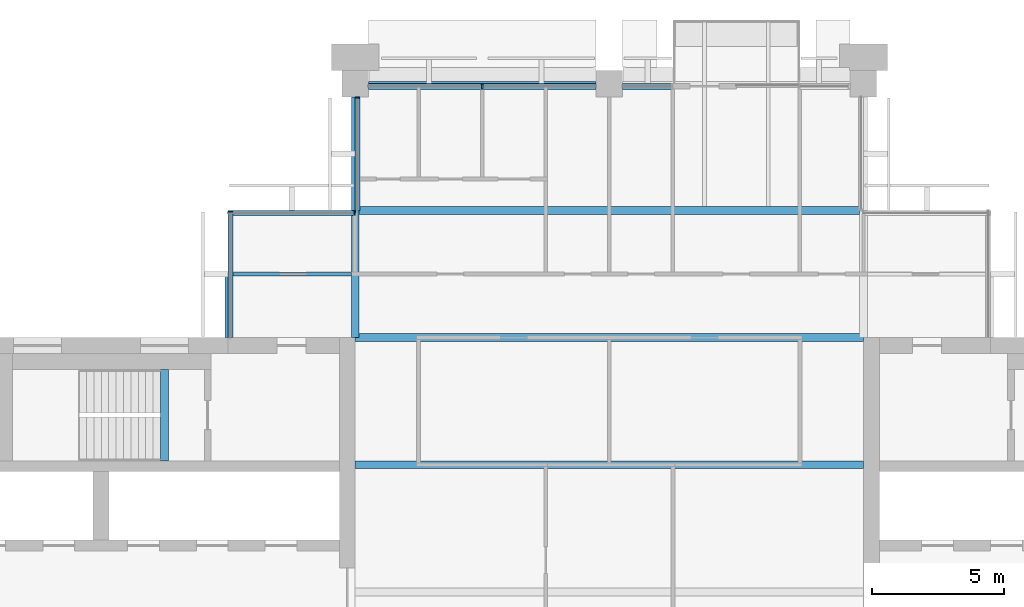
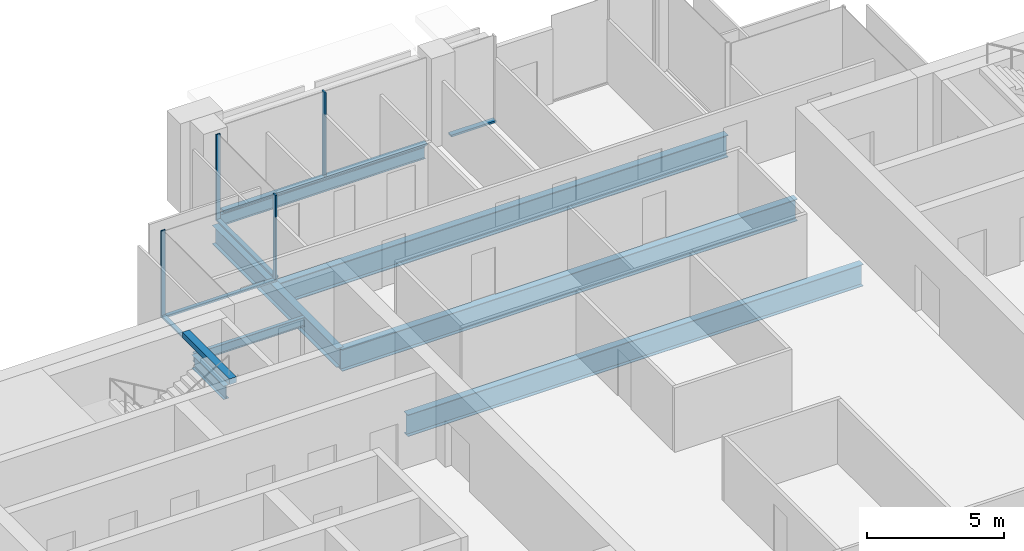
# One storey, part 5 of 13: 9 members, 8 beams, 4 elements without a shape of their own.
"""IFC4 building model written with IfcOpenShell, lengths in metres."""

from ifc_helpers import new_model, si_unit, direction, frame, origin, origin_2d, place, context, subcontext, project, spatial, rectangle, i_section, extrude, material, material_profile, profile_set, type_object, element, aggregate, save


model = new_model("IFC4")

# Units and contexts
model_context = context("Model", 3, precision=1e-05, world=origin(), true_north=direction((0.0, 1.0)))
body_context = subcontext(model_context, "Body", "Model", "MODEL_VIEW")
ifc_project = project(units=[si_unit("LENGTHUNIT", "METRE"), si_unit("AREAUNIT", "SQUARE_METRE"), si_unit("VOLUMEUNIT", "CUBIC_METRE"), si_unit("PLANEANGLEUNIT", "RADIAN"), si_unit("MASSUNIT", "GRAM", prefix="KILO")], contexts=[model_context])

# Site, building, storey
site_placement = place(None, origin())
site = spatial("IfcSite", under=ifc_project, at=site_placement, CompositionType="ELEMENT")
building_placement = place(site_placement, origin())
building = spatial("IfcBuilding", under=site, at=building_placement, Name="Baori Bourse Tower", CompositionType="ELEMENT")
storey_placement = place(building_placement, frame((0.0, 0.0, 302.300048828125)))
storey = spatial("IfcBuildingStorey", under=building, at=storey_placement, Name="L66", CompositionType="ELEMENT", Elevation=302.300048828125)

# Curtain wall, member
ifc_material_1 = material(Name="Pale anodised aluminium", Category="aluminium")
curtain_wall_type_1 = type_object("IfcCurtainWallType", Name="CW2 Curtain wall", PredefinedType="NOTDEFINED", material=ifc_material_1)
curtain_wall_1_placement = place(storey_placement, origin())
curtain_wall_1 = element("IfcCurtainWall", 1, at=curtain_wall_1_placement, inside=storey, type_object=curtain_wall_type_1, Name="Curtain wall CW2 L66 7", PredefinedType="NOTDEFINED")
ifc_material_2 = material(Name="Pale anodised aluminium", Category="aluminium")
ifc_material_profile_1 = material_profile(ifc_material_2, rectangle(XDim=0.179931640625, YDim=0.054931640625, at=origin_2d()), Name="Mullion 55x180")
ifc_profile_set_1 = profile_set([ifc_material_profile_1], Name="Pale anodised aluminium")
member_type_1 = type_object("IfcMemberType", Name="CW2 Curtain wall mullion", PredefinedType="MULLION", material=ifc_profile_set_1)
member_1_placement = place(storey_placement, frame((19.2900390625, 47.472412109375, 0.070068359375), z_axis=(0.0, 0.0, 1.0), x_axis=(1.0, 0.0, 0.0)))
member_1 = element("IfcMember", 2, at=member_1_placement, type_object=member_type_1, Name="Curtain wall CW2 mullion", PredefinedType="MULLION", context=body_context, shape_type="SweptSolid", body=[
    extrude(rectangle(XDim=0.179931640625, YDim=0.054931640625, at=origin_2d()), origin(), (0.0, 0.0, 1.0), 3.769775390625),
])

curtain_wall_2_placement = place(storey_placement, origin())
curtain_wall_2 = element("IfcCurtainWall", 3, at=curtain_wall_2_placement, inside=storey, type_object=curtain_wall_type_1, Name="Curtain wall CW2 L66 8", PredefinedType="NOTDEFINED")
member_2_placement = place(storey_placement, frame((19.172607421875, 43.110107421875, 0.070068359375), z_axis=(0.0, 0.0, 1.0), x_axis=(0.0, -1.0, 0.0)))
member_2 = element("IfcMember", 4, at=member_2_placement, type_object=member_type_1, Name="Curtain wall CW2 mullion", PredefinedType="MULLION", context=body_context, shape_type="SweptSolid", body=[
    extrude(rectangle(XDim=0.179931640625, YDim=0.054931640625, at=origin_2d()), origin(), (0.0, 0.0, 1.0), 3.769775390625),
])

curtain_wall_3_placement = place(storey_placement, origin())
curtain_wall_3 = element("IfcCurtainWall", 5, at=curtain_wall_3_placement, inside=storey, type_object=curtain_wall_type_1, Name="Curtain wall CW2 L66 9", PredefinedType="NOTDEFINED")
member_3_placement = place(storey_placement, frame((14.489990234375, 43.172607421875, 0.070068359375), z_axis=(0.0, 0.0, 1.0), x_axis=(1.0, 0.0, 0.0)))
member_3 = element("IfcMember", 6, at=member_3_placement, type_object=member_type_1, Name="Curtain wall CW2 mullion", PredefinedType="MULLION", context=body_context, shape_type="SweptSolid", body=[
    extrude(rectangle(XDim=0.179931640625, YDim=0.054931640625, at=origin_2d()), origin(), (0.0, 0.0, 1.0), 3.769775390625),
])

# Member
ifc_material_3 = material(Name="Pale anodised aluminium", Category="aluminium")
ifc_material_profile_2 = material_profile(ifc_material_3, rectangle(XDim=0.179931640625, YDim=0.070068359375, at=origin_2d()), Name="Transom 70x180")
ifc_profile_set_2 = profile_set([ifc_material_profile_2], Name="Pale anodised aluminium")
member_type_2 = type_object("IfcMemberType", Name="CW2 Curtain wall transom", PredefinedType="USERDEFINED", material=ifc_profile_set_2)
member_4_placement = place(storey_placement, frame((19.2900390625, 47.5, 0.034912109375), z_axis=(0.0, -1.0, 0.0), x_axis=(1.0, 0.0, 0.0)))
member_4 = element("IfcMember", 7, at=member_4_placement, type_object=member_type_2, Name="Curtain wall CW2 sill rail", ObjectType="TRANSOM", PredefinedType="USERDEFINED", context=body_context, shape_type="SweptSolid", body=[
    extrude(rectangle(XDim=0.179931640625, YDim=0.070068359375, at=origin_2d()), origin(), (0.0, 0.0, 1.0), 4.300048828125),
])

aggregate(curtain_wall_1, [member_4, member_1])

member_5_placement = place(storey_placement, frame((19.199951171875, 43.110107421875, 0.034912109375), z_axis=(-1.0, 0.0, 0.0), x_axis=(0.0, -1.0, 0.0)))
member_5 = element("IfcMember", 8, at=member_5_placement, type_object=member_type_2, Name="Curtain wall CW2 sill rail", ObjectType="TRANSOM", PredefinedType="USERDEFINED", context=body_context, shape_type="SweptSolid", body=[
    extrude(rectangle(XDim=0.179931640625, YDim=0.070068359375, at=origin_2d()), origin(), (0.0, 0.0, 1.0), 4.800048828125),
])

aggregate(curtain_wall_2, [member_5, member_2])

member_6_placement = place(storey_placement, frame((14.489990234375, 43.199951171875, 0.034912109375), z_axis=(0.0, -1.0, 0.0), x_axis=(1.0, 0.0, 0.0)))
member_6 = element("IfcMember", 9, at=member_6_placement, type_object=member_type_2, Name="Curtain wall CW2 sill rail", ObjectType="TRANSOM", PredefinedType="USERDEFINED", context=body_context, shape_type="SweptSolid", body=[
    extrude(rectangle(XDim=0.179931640625, YDim=0.070068359375, at=origin_2d()), origin(), (0.0, 0.0, 1.0), 4.800048828125),
])

aggregate(curtain_wall_3, [member_6, member_3])

# Curtain wall, members
ifc_material_4 = material(Name="Pale anodised aluminium", Category="aluminium")
curtain_wall_type_2 = type_object("IfcCurtainWallType", Name="CW5 Curtain wall", PredefinedType="NOTDEFINED", material=ifc_material_4)
curtain_wall_4_placement = place(storey_placement, origin())
curtain_wall_4 = element("IfcCurtainWall", 10, at=curtain_wall_4_placement, inside=storey, type_object=curtain_wall_type_2, Name="Curtain wall CW5 L66 6", PredefinedType="NOTDEFINED")
ifc_material_5 = material(Name="Pale anodised aluminium", Category="aluminium")
ifc_material_profile_3 = material_profile(ifc_material_5, rectangle(XDim=0.219970703125, YDim=0.06494140625, at=origin_2d()), Name="Mullion 65x220")
ifc_profile_set_3 = profile_set([ifc_material_profile_3], Name="Pale anodised aluminium")
member_type_3 = type_object("IfcMemberType", Name="CW5 Curtain wall mullion", PredefinedType="MULLION", material=ifc_profile_set_3)
member_7_placement = place(storey_placement, frame((24.0, 47.889892578125, 0.0849609375), z_axis=(0.0, 0.0, 1.0), x_axis=(0.0, -1.0, 0.0)))
member_7 = element("IfcMember", 11, at=member_7_placement, type_object=member_type_3, Name="Curtain wall CW5 mullion", PredefinedType="MULLION", context=body_context, shape_type="SweptSolid", body=[
    extrude(rectangle(XDim=0.219970703125, YDim=0.06494140625, at=origin_2d()), origin(), (0.0, 0.0, 1.0), 3.7548828125),
])
ifc_material_6 = material(Name="Pale anodised aluminium", Category="aluminium")
ifc_material_profile_4 = material_profile(ifc_material_6, rectangle(XDim=0.219970703125, YDim=0.0849609375, at=origin_2d()), Name="Transom 85x220")
ifc_profile_set_4 = profile_set([ifc_material_profile_4], Name="Pale anodised aluminium")
member_type_4 = type_object("IfcMemberType", Name="CW5 Curtain wall transom", PredefinedType="USERDEFINED", material=ifc_profile_set_4)
member_8_placement = place(storey_placement, frame((31.199951171875, 47.889892578125, 0.04248046875), z_axis=(-1.0, 0.0, 0.0), x_axis=(0.0, -1.0, 0.0)))
member_8 = element("IfcMember", 12, at=member_8_placement, type_object=member_type_4, Name="Curtain wall CW5 sill rail", ObjectType="TRANSOM", PredefinedType="USERDEFINED", context=body_context, shape_type="SweptSolid", body=[
    extrude(rectangle(XDim=0.219970703125, YDim=0.0849609375, at=origin_2d()), origin(), (0.0, 0.0, 1.0), 1.89990234375),
])
member_9_placement = place(storey_placement, frame((28.300048828125, 47.889892578125, 0.04248046875), z_axis=(-1.0, 0.0, 0.0), x_axis=(0.0, -1.0, 0.0)))
member_9 = element("IfcMember", 13, at=member_9_placement, type_object=member_type_4, Name="Curtain wall CW5 sill rail", ObjectType="TRANSOM", PredefinedType="USERDEFINED", context=body_context, shape_type="SweptSolid", body=[
    extrude(rectangle(XDim=0.219970703125, YDim=0.0849609375, at=origin_2d()), origin(), (0.0, 0.0, 1.0), 8.60009765625),
])
aggregate(curtain_wall_4, [member_8, member_9, member_7])

# Beams
ifc_material_7 = material(Name="Steel A992 Gr 50", Category="steel")
ifc_material_profile_5 = material_profile(ifc_material_7, i_section(OverallWidth=0.227783203125, OverallDepth=0.60205078125, WebThickness=0.010498046875, FlangeThickness=0.014892578125, at=origin_2d()), Name="W24x68")
ifc_profile_set_5 = profile_set([ifc_material_profile_5], Name="Steel A992 Gr 50")
beam_type_1 = type_object("IfcBeamType", Name="Core bracket W24x68", PredefinedType="BEAM", material=ifc_profile_set_5)
beam_1_placement = place(storey_placement, frame((14.39990234375, 38.39990234375, -0.4609375), z_axis=(0.0, 1.0, 0.0), x_axis=(-1.0, 0.0, 0.0)))
element("IfcBeam", 14, at=beam_1_placement, inside=storey, type_object=beam_type_1, Name="Core bracket L66", PredefinedType="BEAM", context=body_context, shape_type="SweptSolid", body=[
    extrude(i_section(OverallWidth=0.227783203125, OverallDepth=0.60205078125, WebThickness=0.010498046875, FlangeThickness=0.014892578125, at=origin_2d()), origin(), (0.0, 0.0, 1.0), 2.329833984375),
])
ifc_material_8 = material(Name="Steel A992 Gr 50", Category="steel")
ifc_material_profile_6 = material_profile(ifc_material_8, i_section(OverallWidth=0.1650390625, OverallDepth=0.52587890625, WebThickness=0.0087890625, FlangeThickness=0.011474609375, at=origin_2d()), Name="W21x44")
ifc_profile_set_6 = profile_set([ifc_material_profile_6], Name="Steel A992 Gr 50")
beam_type_2 = type_object("IfcBeamType", Name="Edge beam W21x44", PredefinedType="BEAM", material=ifc_profile_set_6)
beam_2_placement = place(storey_placement, frame((19.699951171875, 48.0, -0.4228515625), z_axis=(1.0, 0.0, 0.0), x_axis=(0.0, 1.0, 0.0)))
element("IfcBeam", 15, at=beam_2_placement, inside=storey, type_object=beam_type_2, Name="Edge beam L66", PredefinedType="BEAM", context=body_context, shape_type="SweptSolid", body=[
    extrude(i_section(OverallWidth=0.1650390625, OverallDepth=0.52587890625, WebThickness=0.0087890625, FlangeThickness=0.011474609375, at=origin_2d()), origin(), (0.0, 0.0, 1.0), 8.60009765625),
])
ifc_material_9 = material(Name="Steel A992 Gr 50", Category="steel")
ifc_material_profile_7 = material_profile(ifc_material_9, i_section(OverallWidth=0.2998046875, OverallDepth=0.97021484375, WebThickness=0.01611328125, FlangeThickness=0.02099609375, at=origin_2d()), Name="W40x149")
ifc_profile_set_7 = profile_set([ifc_material_profile_7], Name="Steel A992 Gr 50")
beam_type_3 = type_object("IfcBeamType", Name="Floor beam W40x149", PredefinedType="BEAM", material=ifc_profile_set_7)
for number, where, z_axis, x_axis, name in (
    (16, (19.199951171875, 33.60009765625, -0.645263671875), (1.0, 0.0, 0.0), (0.0, 1.0, 0.0), "Floor beam L66"),
    (17, (19.199951171875, 38.39990234375, -0.645263671875), (1.0, 0.0, 0.0), (0.0, 1.0, 0.0), "Floor beam L66"),
):
    element("IfcBeam", number, at=place(storey_placement, frame(where, z_axis=z_axis, x_axis=x_axis)), inside=storey, type_object=beam_type_3, Name=name, PredefinedType="BEAM", context=body_context, shape_type="SweptSolid", body=[
        extrude(i_section(OverallWidth=0.2998046875, OverallDepth=0.97021484375, WebThickness=0.01611328125, FlangeThickness=0.02099609375, at=origin_2d()), origin(), (0.0, 0.0, 1.0), 19.199951171875),
    ])
ifc_material_10 = material(Name="Steel A992 Gr 50", Category="steel")
ifc_material_profile_8 = material_profile(ifc_material_10, i_section(OverallWidth=0.2998046875, OverallDepth=0.990478515625, WebThickness=0.0166015625, FlangeThickness=0.030517578125, at=origin_2d()), Name="W40x183")
ifc_profile_set_8 = profile_set([ifc_material_profile_8], Name="Steel A992 Gr 50")
beam_type_4 = type_object("IfcBeamType", Name="Floor beam W40x183", PredefinedType="BEAM", material=ifc_profile_set_8)
beam_3_placement = place(storey_placement, frame((19.345947265625, 43.199951171875, -0.6552734375), z_axis=(1.0, 0.0, 0.0), x_axis=(0.0, 1.0, 0.0)))
element("IfcBeam", 18, at=beam_3_placement, inside=storey, type_object=beam_type_4, Name="Floor beam L66", PredefinedType="BEAM", context=body_context, shape_type="SweptSolid", body=[
    extrude(i_section(OverallWidth=0.2998046875, OverallDepth=0.990478515625, WebThickness=0.0166015625, FlangeThickness=0.030517578125, at=origin_2d()), origin(), (0.0, 0.0, 1.0), 18.901611328125),
])
ifc_material_11 = material(Name="Steel A992 Gr 50", Category="steel")
ifc_material_profile_9 = material_profile(ifc_material_11, i_section(OverallWidth=0.2919921875, OverallDepth=0.835693359375, WebThickness=0.013916015625, FlangeThickness=0.018798828125, at=origin_2d()), Name="W33x118")
ifc_profile_set_9 = profile_set([ifc_material_profile_9], Name="Steel A992 Gr 50")
beam_type_5 = type_object("IfcBeamType", Name="Girder W33x118", PredefinedType="BEAM", material=ifc_profile_set_9)
beam_4_placement = place(storey_placement, frame((19.199951171875, 38.39990234375, -0.577880859375), z_axis=(0.0, 1.0, 0.0), x_axis=(-1.0, 0.0, 0.0)))
element("IfcBeam", 19, at=beam_4_placement, inside=storey, type_object=beam_type_5, Name="Girder L66", PredefinedType="BEAM", context=body_context, shape_type="SweptSolid", body=[
    extrude(i_section(OverallWidth=0.2919921875, OverallDepth=0.835693359375, WebThickness=0.013916015625, FlangeThickness=0.018798828125, at=origin_2d()), origin(), (0.0, 0.0, 1.0), 9.10009765625),
])
ifc_material_12 = material(Name="Concrete f'c 50 MPa", Category="concrete")
ifc_material_profile_10 = material_profile(ifc_material_12, rectangle(XDim=0.300048828125, YDim=0.25, at=origin_2d()), Name="RC 300x250")
ifc_profile_set_10 = profile_set([ifc_material_profile_10], Name="Concrete f'c 50 MPa")
beam_type_6 = type_object("IfcBeamType", Name="Stair nib beam RC 300x250", PredefinedType="BEAM", material=ifc_profile_set_10)
beam_5_placement = place(storey_placement, frame((12.0, 33.75, 3.71484375), z_axis=(0.0, 1.0, 0.0), x_axis=(-1.0, 0.0, 0.0)))
element("IfcBeam", 20, at=beam_5_placement, inside=storey, type_object=beam_type_6, Name="Stair WB nib beam L67", PredefinedType="BEAM", context=body_context, shape_type="SweptSolid", body=[
    extrude(rectangle(XDim=0.300048828125, YDim=0.25, at=origin_2d()), origin(), (0.0, 0.0, 1.0), 3.449951171875),
])
ifc_material_13 = material(Name="Steel A992 Gr 50", Category="steel")
ifc_material_profile_11 = material_profile(ifc_material_13, i_section(OverallWidth=0.140380859375, OverallDepth=0.40380859375, WebThickness=0.007080078125, FlangeThickness=0.01123046875, at=origin_2d()), Name="W16x31")
ifc_profile_set_11 = profile_set([ifc_material_profile_11], Name="Steel A992 Gr 50")
beam_type_7 = type_object("IfcBeamType", Name="Trimmer beam W16x31", PredefinedType="BEAM", material=ifc_profile_set_11)
beam_6_placement = place(storey_placement, frame((14.39990234375, 40.800048828125, -0.362060546875), z_axis=(1.0, 0.0, 0.0), x_axis=(0.0, 1.0, 0.0)))
element("IfcBeam", 21, at=beam_6_placement, inside=storey, type_object=beam_type_7, Name="Trimmer beam L66", PredefinedType="BEAM", context=body_context, shape_type="SweptSolid", body=[
    extrude(i_section(OverallWidth=0.140380859375, OverallDepth=0.40380859375, WebThickness=0.007080078125, FlangeThickness=0.01123046875, at=origin_2d()), origin(), (0.0, 0.0, 1.0), 4.654052734375),
])

save(model, "model.ifc")
